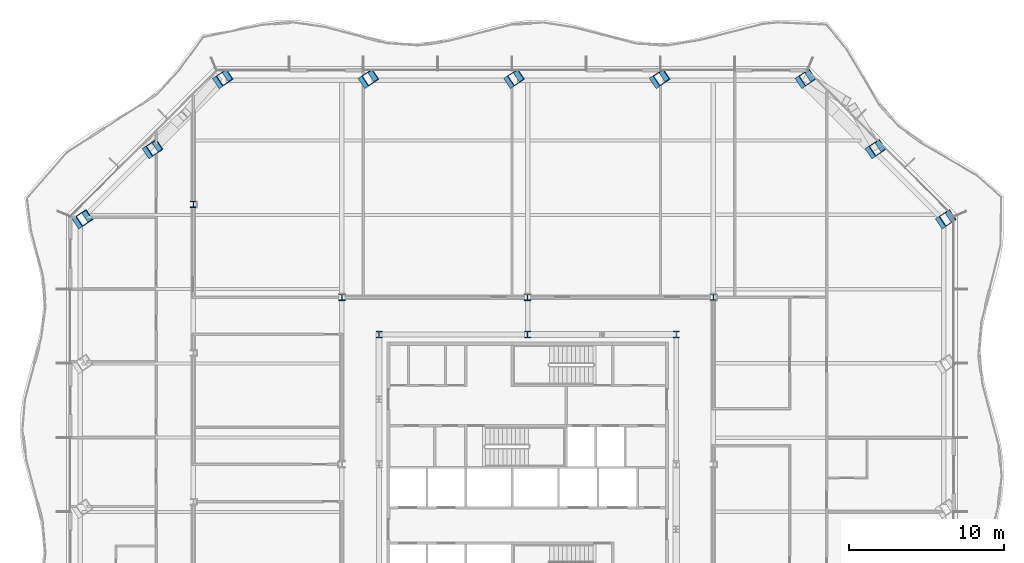
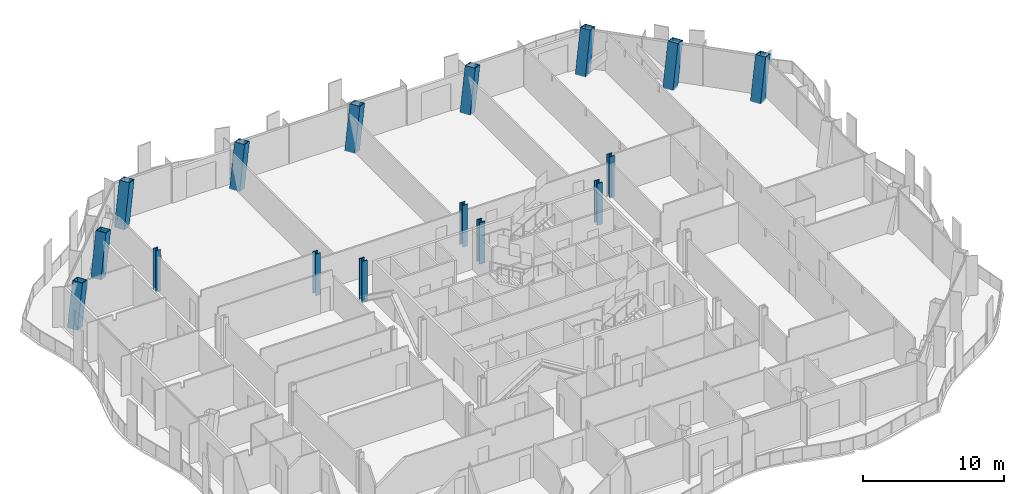
# One storey, part 2 of 21: 16 columns.
"""IFC4 building model written with IfcOpenShell, lengths in metres."""

from ifc_helpers import new_model, si_unit, direction, frame, origin, origin_2d, place, context, subcontext, project, spatial, hollow_rectangle, i_section, extrude, clip, halfspace, material, material_profile, profile_set, type_object, element, save


model = new_model("IFC4")

# Units and contexts
model_context = context("Model", 3, precision=1e-05, world=origin(), true_north=direction((0.0, 1.0)))
body_context = subcontext(model_context, "Body", "Model", "MODEL_VIEW")
ifc_project = project(units=[si_unit("LENGTHUNIT", "METRE"), si_unit("AREAUNIT", "SQUARE_METRE"), si_unit("VOLUMEUNIT", "CUBIC_METRE"), si_unit("PLANEANGLEUNIT", "RADIAN"), si_unit("MASSUNIT", "GRAM", prefix="KILO")], contexts=[model_context])

# Site, building, storey
site_placement = place(None, origin())
site = spatial("IfcSite", under=ifc_project, at=site_placement, CompositionType="ELEMENT")
building_placement = place(site_placement, origin())
building = spatial("IfcBuilding", under=site, at=building_placement, Name="Cairn Pilgrim Tower", CompositionType="ELEMENT")
storey_placement = place(building_placement, frame((0.0, 0.0, 108.60009765625)))
storey = spatial("IfcBuildingStorey", under=building, at=storey_placement, Name="L26", CompositionType="ELEMENT", Elevation=108.60009765625)

# Columns
ifc_material_1 = material(Name="Structural steel S460M", Category="steel")
ifc_material_profile_1 = material_profile(ifc_material_1, hollow_rectangle(XDim=0.800048828125, YDim=0.800048828125, WallThickness=0.050048828125, at=origin_2d()), Name="BOX 800x800x50")
ifc_profile_set_1 = profile_set([ifc_material_profile_1], Name="Structural steel S460M")
column_type_1 = type_object("IfcColumnType", Name="BOX 800x800x50", PredefinedType="COLUMN", material=ifc_profile_set_1)
for number, where, z_axis, x_axis, name in (
    (1, (34.091552734375, 18.155029296875, -0.150146484375), (0.186254258756, 0.124125442847, 0.974629275947), (-0.554563898811, 0.832141143157, 0.0), "PC1-NE1"),
    (2, (29.55517578125, 22.69140625, -0.150146484375), (0.186254258756, 0.124125442847, 0.974629275947), (-0.554563898811, 0.832141143157, 0.0), "PC1-NE2"),
    (3, (25.018798828125, 27.227783203125, -0.150146484375), (0.186254258756, 0.124125442847, 0.974629275947), (-0.554563898811, 0.832141143157, 0.0), "PC1-N1"),
    (4, (15.605224609375, 27.227783203125, -0.150146484375), (0.186254258756, 0.124125442847, 0.974629275947), (-0.554563898811, 0.832141143157, 0.0), "PC1-N2"),
    (5, (6.191650390625, 27.227783203125, -0.150146484375), (0.186190455954, 0.124126970636, 0.974641272096), (-0.554700196225, 0.832050294338, 0.0), "PC1-N3"),
    (6, (-3.221923828125, 27.227783203125, -0.150146484375), (0.186190455954, 0.124126970636, 0.974641272096), (-0.554700196225, 0.832050294338, 0.0), "PC1-N4"),
    (7, (-12.635498046875, 27.227783203125, -0.150146484375), (0.186190455954, 0.124126970636, 0.974641272096), (-0.554700196225, 0.832050294338, 0.0), "PC1-NW1"),
    (8, (-17.172119140625, 22.69140625, -0.150146484375), (0.186254258756, 0.124125442847, 0.974629275947), (-0.554563898811, 0.832141143157, 0.0), "PC1-NW2"),
    (9, (-21.70849609375, 18.155029296875, -0.150146484375), (0.186254258756, 0.124125442847, 0.974629275947), (-0.554563898811, 0.832141143157, 0.0), "PC1-W1"),
):
    element("IfcColumn", number, at=place(storey_placement, frame(where, z_axis=z_axis, x_axis=x_axis)), inside=storey, type_object=column_type_1, Name=name, PredefinedType="COLUMN", context=body_context, shape_type="Clipping", body=[
        clip(clip(extrude(hollow_rectangle(XDim=0.800048828125, YDim=0.800048828125, WallThickness=0.050048828125, at=origin_2d()), origin(), (0.0, 0.0, 1.0), 3.69384765625), halfspace(frame((0.0, 0.0, 0.02392578125), z_axis=(0.0, 0.0, 1.0), x_axis=(1.0, 0.0, 0.0)), True)), halfspace(frame((0.0, 0.0, 3.669921875), z_axis=(0.0, 0.0, 1.0), x_axis=(1.0, 0.0, 0.0)), False)),
    ])
ifc_material_2 = material(Name="Structural steel S355J2", Category="steel")
ifc_material_profile_2 = material_profile(ifc_material_2, i_section(OverallWidth=0.39892578125, OverallDepth=0.39306640625, WebThickness=0.022705078125, FlangeThickness=0.03662109375, FilletRadius=0.014892578125, at=origin_2d()), Name="HD 400x287")
ifc_profile_set_2 = profile_set([ifc_material_profile_2], Name="Structural steel S355J2")
column_type_2 = type_object("IfcColumnType", Name="HD 400x287", PredefinedType="COLUMN", material=ifc_profile_set_2)
column_placement = place(storey_placement, frame((-14.39990234375, 19.199951171875, -0.150146484375), z_axis=(0.0, 0.0, 1.0), x_axis=(1.0, 0.0, 0.0)))
element("IfcColumn", 10, at=column_placement, inside=storey, type_object=column_type_2, Name="WC-WW+4", PredefinedType="COLUMN", context=body_context, shape_type="SweptSolid", body=[
    extrude(i_section(OverallWidth=0.39892578125, OverallDepth=0.39306640625, WebThickness=0.022705078125, FlangeThickness=0.03662109375, FilletRadius=0.014892578125, at=origin_2d()), origin(), (0.0, 0.0, 1.0), 3.60009765625),
])
ifc_material_profile_3 = material_profile(ifc_material_1, i_section(OverallWidth=0.408935546875, OverallDepth=0.425048828125, WebThickness=0.03271484375, FlangeThickness=0.052490234375, FilletRadius=0.014892578125, at=origin_2d()), Name="HD 400x421")
ifc_profile_set_3 = profile_set([ifc_material_profile_3], Name="Structural steel S460M")
column_type_3 = type_object("IfcColumnType", Name="HD 400x421", PredefinedType="COLUMN", material=ifc_profile_set_3)
for number, where, z_axis, x_axis, name in (
    (11, (-4.800048828125, 13.199951171875, -0.150146484375), (0.0, 0.0, 1.0), (1.0, 0.0, 0.0), "IC-6"),
    (12, (7.199951171875, 13.199951171875, -0.150146484375), (0.0, 0.0, 1.0), (1.0, 0.0, 0.0), "IC-7"),
    (13, (19.199951171875, 13.199951171875, -0.150146484375), (0.0, 0.0, 1.0), (1.0, 0.0, 0.0), "IC-8"),
):
    element("IfcColumn", number, at=place(storey_placement, frame(where, z_axis=z_axis, x_axis=x_axis)), inside=storey, type_object=column_type_3, Name=name, PredefinedType="COLUMN", context=body_context, shape_type="SweptSolid", body=[
        extrude(i_section(OverallWidth=0.408935546875, OverallDepth=0.425048828125, WebThickness=0.03271484375, FlangeThickness=0.052490234375, FilletRadius=0.014892578125, at=origin_2d()), origin(), (0.0, 0.0, 1.0), 3.60009765625),
    ])
ifc_material_profile_4 = material_profile(ifc_material_1, i_section(OverallWidth=0.424072265625, OverallDepth=0.47412109375, WebThickness=0.047607421875, FlangeThickness=0.0771484375, FilletRadius=0.014892578125, at=origin_2d()), Name="HD 400x634")
ifc_profile_set_4 = profile_set([ifc_material_profile_4], Name="Structural steel S460M")
column_type_4 = type_object("IfcColumnType", Name="HD 400x634", PredefinedType="COLUMN", material=ifc_profile_set_4)
for number, where, z_axis, x_axis, name in (
    (14, (-2.39990234375, 10.800048828125, -0.150146484375), (0.0, 0.0, 1.0), (1.0, 0.0, 0.0), "KC-6"),
    (15, (7.199951171875, 10.800048828125, -0.150146484375), (0.0, 0.0, 1.0), (1.0, 0.0, 0.0), "KC-7"),
    (16, (16.800048828125, 10.800048828125, -0.150146484375), (0.0, 0.0, 1.0), (1.0, 0.0, 0.0), "KC-8"),
):
    element("IfcColumn", number, at=place(storey_placement, frame(where, z_axis=z_axis, x_axis=x_axis)), inside=storey, type_object=column_type_4, Name=name, PredefinedType="COLUMN", context=body_context, shape_type="SweptSolid", body=[
        extrude(i_section(OverallWidth=0.424072265625, OverallDepth=0.47412109375, WebThickness=0.047607421875, FlangeThickness=0.0771484375, FilletRadius=0.014892578125, at=origin_2d()), origin(), (0.0, 0.0, 1.0), 3.60009765625),
    ])

save(model, "model.ifc")
